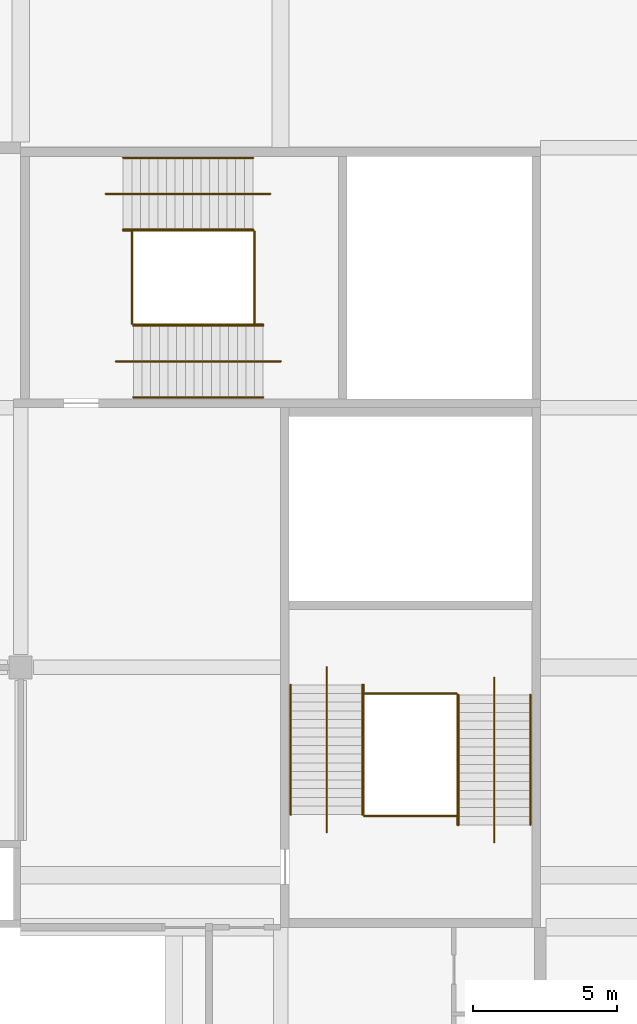
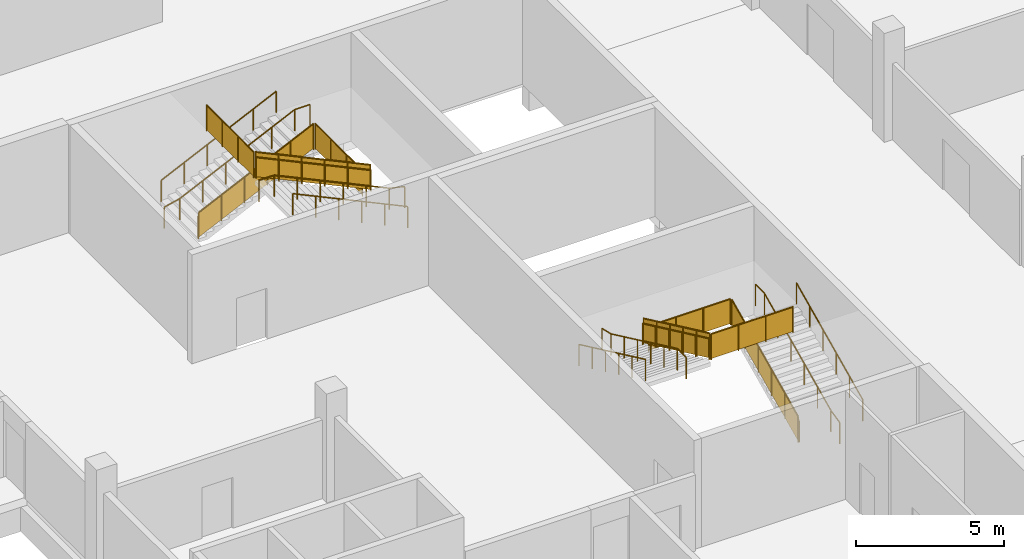
# One storey, part 155 of 168: 20 railings.
"""IFC4 building model written with IfcOpenShell, lengths in metres."""

import ifcopenshell
import ifcopenshell.guid

model = None  # the IFC model being written
_history = None  # IfcOwnerHistory: only IFC2X3 demands one
_inside = {}  # id of a spatial element -> (the spatial element, [elements in it])
_under = {}  # id of a project, library or spatial element -> (it, [spatial elements below it])
_declared = {}  # id of a project -> (the project, [libraries it declares])
_typed = {}  # id of a type object -> (the type object, [elements of that type])
_made_of = {}  # id of a material, layer set ... -> (it, [elements and type objects made of it])


def new_model(schema):
    """Start an empty IFC model of exactly this schema.

    Asked for "IFC4X3", IfcOpenShell would pick the latest addendum, in which some entities
    have other attributes; the version numbers below select the first issue.
    IFC2X3 requires an IfcOwnerHistory on every rooted entity: one is made here for all.
    """
    global model, _history
    if schema == "IFC4X3":
        model = ifcopenshell.file(schema_version=(4, 3, 0, 0))
    else:
        model = ifcopenshell.file(schema=schema)
    _inside.clear()
    _under.clear()
    _declared.clear()
    _typed.clear()
    _made_of.clear()
    _history = None
    if model.schema == "IFC2X3":
        org = make("IfcOrganization", Name="unknown")
        user = make(
            "IfcPersonAndOrganization",
            ThePerson=make("IfcPerson", FamilyName="unknown"),
            TheOrganization=org,
        )
        app = make(
            "IfcApplication",
            ApplicationDeveloper=org,
            Version="unknown",
            ApplicationFullName="unknown",
            ApplicationIdentifier="unknown",
        )
        _history = make(
            "IfcOwnerHistory",
            OwningUser=user,
            OwningApplication=app,
            ChangeAction="ADDED",
            CreationDate=0,
        )
    return model


def make(cls, **values):
    """One entity of the class cls with the attributes given. An attribute that is None is left unset."""
    return model.create_entity(
        cls, **{name: value for name, value in values.items() if value is not None}
    )


def rooted(cls, **values):
    """An entity with a GlobalId (a new one), such as an element, a storey or a relation."""
    return make(cls, GlobalId=ifcopenshell.guid.new(), OwnerHistory=_history, **values)


def si_unit(unit_type, name, prefix=None):
    """IfcSIUnit, for example si_unit("LENGTHUNIT", "METRE", prefix="MILLI")."""
    return make("IfcSIUnit", UnitType=unit_type, Prefix=prefix, Name=name)


def assignment(units):
    """IfcUnitAssignment: the units of a project."""
    return None if units is None else make("IfcUnitAssignment", Units=units)


def point(xyz):
    """IfcCartesianPoint."""
    return None if xyz is None else make("IfcCartesianPoint", Coordinates=xyz)


def direction(xyz):
    """IfcDirection."""
    return None if xyz is None else make("IfcDirection", DirectionRatios=xyz)


def frame(location, z_axis=None, x_axis=None):
    """IfcAxis2Placement3D, a coordinate frame: its origin and axes. An axis left out is left unset."""
    return make(
        "IfcAxis2Placement3D",
        Location=point(location),
        Axis=direction(z_axis),
        RefDirection=direction(x_axis),
    )


def frame_2d(location, x_axis=None):
    """IfcAxis2Placement2D, a coordinate frame in the plane: its origin and x axis."""
    return make(
        "IfcAxis2Placement2D", Location=point(location), RefDirection=direction(x_axis)
    )


def origin():
    """The frame at (0, 0, 0) with its axes left unset."""
    return frame((0.0, 0.0, 0.0))


def origin_2d():
    """The frame at (0, 0) in the plane with its x axis left unset."""
    return frame_2d((0.0, 0.0))


def place(relative_to, where):
    """IfcLocalPlacement: puts the frame where relative to a parent placement (None: the world)."""
    return make(
        "IfcLocalPlacement", PlacementRelTo=relative_to, RelativePlacement=where
    )


def context(
    kind, dimensions, precision=None, world=None, true_north=None, identifier=None
):
    """IfcGeometricRepresentationContext, for example the 3D "Model" context."""
    return make(
        "IfcGeometricRepresentationContext",
        ContextIdentifier=identifier,
        ContextType=kind,
        CoordinateSpaceDimension=dimensions,
        Precision=precision,
        WorldCoordinateSystem=world,
        TrueNorth=true_north,
    )


def subcontext(parent, identifier, kind, view, scale=None):
    """IfcGeometricRepresentationSubContext, for example "Body" below "Model"."""
    return make(
        "IfcGeometricRepresentationSubContext",
        ContextIdentifier=identifier,
        ContextType=kind,
        ParentContext=parent,
        TargetScale=scale,
        TargetView=view,
    )


def project(units=None, contexts=None):
    """IfcProject with its units and contexts."""
    return rooted(
        "IfcProject",
        Name="project",
        RepresentationContexts=contexts,
        UnitsInContext=assignment(units),
    )


def spatial(cls, under=None, at=None, **own):
    """A site, building, storey or space (cls), placed at a placement, below another one or the project."""
    s = rooted(cls, ObjectPlacement=at, **own)
    if under is not None:
        _under.setdefault(under.id(), (under, []))[1].append(s)
    return s


def polyline(points):
    """IfcPolyline through the points."""
    return make("IfcPolyline", Points=[point(p) for p in points])


def profile(cls, at=None, kind="AREA", **sizes):
    """A parametric profile (cls). Its sizes go by their IFC names, for example OverallWidth=200.0."""
    return make(cls, ProfileType=kind, Position=at, **sizes)


def circle(**sizes):
    """IfcCircleProfileDef."""
    return profile("IfcCircleProfileDef", **sizes)


def outline(outer, holes=None, kind="AREA"):
    """IfcArbitraryClosedProfileDef: a profile drawn as a closed curve; with holes, ...WithVoids."""
    if holes is None:
        return make("IfcArbitraryClosedProfileDef", ProfileType=kind, OuterCurve=outer)
    return make(
        "IfcArbitraryProfileDefWithVoids",
        ProfileType=kind,
        OuterCurve=outer,
        InnerCurves=holes,
    )


def extrude(swept, where, along, depth):
    """IfcExtrudedAreaSolid: the profile swept, set in the frame where, extruded along a direction by depth."""
    return make(
        "IfcExtrudedAreaSolid",
        SweptArea=swept,
        Position=where,
        ExtrudedDirection=direction(along),
        Depth=depth,
    )


def shape(context_of_items, identifier, shape_type, items):
    """IfcShapeRepresentation: the items that make up one representation, for example the "Body"."""
    return make(
        "IfcShapeRepresentation",
        ContextOfItems=context_of_items,
        RepresentationIdentifier=identifier,
        RepresentationType=shape_type,
        Items=items,
    )


def material(Name=None, Category=None):
    """IfcMaterial."""
    return make("IfcMaterial", Name=Name, Category=Category)


def made_of(thing, what):
    """Note that an element or type object is made of a material, layer set ...; save() writes the relation."""
    if what is not None:
        _made_of.setdefault(what.id(), (what, []))[1].append(thing)
    return thing


def type_object(cls, material=None, **own):
    """A type object (cls), such as IfcWallType, which elements share."""
    return made_of(rooted(cls, **own), material)


def element(
    cls,
    number,
    at=None,
    inside=None,
    cuts=None,
    type_object=None,
    material=None,
    context=None,
    identifier="Body",
    shape_type=None,
    held_by="IfcProductDefinitionShape",
    body=None,
    shapes=None,
    **own,
):
    """One element of the class cls, such as IfcWall. Its Tag is "e" and its number.

    at: its placement. inside: the storey or other place that contains it. cuts: it is an
    opening in that element (IfcRelVoidsElement). A single representation is given by context,
    identifier, shape_type and body (its items); several are given by shapes. held_by: the class
    of the entity that holds the representations. save() writes the other relations.
    """
    e = rooted(cls, Tag="e%d" % number, ObjectPlacement=at, **own)
    if body is not None:
        shapes = [shape(context, identifier, shape_type, body)]
    if shapes is not None:
        e.Representation = make(held_by, Representations=shapes)
    if inside is not None:
        _inside.setdefault(inside.id(), (inside, []))[1].append(e)
    if cuts is not None:
        rooted(
            "IfcRelVoidsElement", RelatingBuildingElement=cuts, RelatedOpeningElement=e
        )
    if type_object is not None:
        _typed.setdefault(type_object.id(), (type_object, []))[1].append(e)
    return made_of(e, material)


def aggregate(whole, parts):
    """IfcRelAggregates: a whole, such as a stair, and the parts it consists of."""
    return rooted("IfcRelAggregates", RelatingObject=whole, RelatedObjects=parts)


def save(model, path):
    """Write the relations noted so far, then the file.

    IfcRelAggregates (storeys below a building ...), IfcRelContainedInSpatialStructure (elements
    in a storey), IfcRelDefinesByType, IfcRelAssociatesMaterial and IfcRelDeclares: one each for
    every whole, place, type object, material and project.
    """
    for whole, parts in _under.values():
        aggregate(whole, parts)
    for where, things in _inside.values():
        rooted(
            "IfcRelContainedInSpatialStructure",
            RelatedElements=things,
            RelatingStructure=where,
        )
    for kind, things in _typed.values():
        rooted("IfcRelDefinesByType", RelatedObjects=things, RelatingType=kind)
    for what, things in _made_of.values():
        rooted("IfcRelAssociatesMaterial", RelatedObjects=things, RelatingMaterial=what)
    for by, libraries in _declared.values():
        rooted("IfcRelDeclares", RelatingContext=by, RelatedDefinitions=libraries)
    model.write(path)


model = new_model("IFC4")

# Units and contexts
model_context = context("Model", 3, precision=1e-05, world=origin(), true_north=direction((0.0, 1.0)))
body_context = subcontext(model_context, "Body", "Model", "MODEL_VIEW")
ifc_project = project(units=[si_unit("LENGTHUNIT", "METRE"), si_unit("AREAUNIT", "SQUARE_METRE"), si_unit("VOLUMEUNIT", "CUBIC_METRE"), si_unit("PLANEANGLEUNIT", "RADIAN"), si_unit("MASSUNIT", "GRAM", prefix="KILO")], contexts=[model_context])

# Site, building, storey
site_placement = place(None, origin())
site = spatial("IfcSite", under=ifc_project, at=site_placement, CompositionType="ELEMENT")
building_placement = place(site_placement, origin())
building = spatial("IfcBuilding", under=site, at=building_placement, Name="Silverbay Arena", CompositionType="ELEMENT")
storey_placement = place(building_placement, frame((0.0, 0.0, 7.0)))
storey = spatial("IfcBuildingStorey", under=building, at=storey_placement, Name="L01", CompositionType="ELEMENT", Elevation=7.0)

# Railings
ifc_material_1 = material(Name="Stainless steel", Category="steel")
railing_type_1 = type_object("IfcRailingType", Name="Stair guard 1100", PredefinedType="GUARDRAIL", material=ifc_material_1)
railing_1_placement = place(storey_placement, frame((174.546630859375, 123.125, 0.140625)))
element("IfcRailing", 1, at=railing_1_placement, inside=storey, type_object=railing_type_1, Name="Stair ST-NE1 L01 to L02 flight 1 guard left", PredefinedType="GUARDRAIL", context=body_context, shape_type="SweptSolid", body=[
    extrude(circle(Radius=0.02392578125, at=origin_2d()), frame((0.0, 0.0, 1.076171875), z_axis=(0.905458935959, 0.0, 0.424433876231), x_axis=(0.0, 1.0, 0.0)), (0.0, 0.0, 1.0), 4.969970703125),
    extrude(outline(polyline([(-0.008056640625, 0.046142578125), (0.907958984375, 0.4755859375), (0.907958984375, 1.478515625), (-0.008056640625, 1.04931640625), (-0.008056640625, 0.046142578125)])), frame((0.0, 0.0029296875, 0.0), z_axis=(0.0, -1.0, 0.0), x_axis=(1.0, 0.0, 0.0)), (0.0, 0.0, 1.0), 0.006103515625),
    extrude(outline(polyline([(-0.008056640625, 0.468017578125), (0.907958984375, 0.8974609375), (0.907958984375, 1.900390625), (-0.008056640625, 1.47119140625), (-0.008056640625, 0.468017578125)])), frame((0.89990234375, 0.0029296875, 0.0), z_axis=(0.0, -1.0, 0.0), x_axis=(1.0, 0.0, 0.0)), (0.0, 0.0, 1.0), 0.006103515625),
    extrude(outline(polyline([(-0.008056640625, 0.889892578125), (0.907958984375, 1.3193359375), (0.907958984375, 2.322265625), (-0.008056640625, 1.89306640625), (-0.008056640625, 0.889892578125)])), frame((1.800048828125, 0.0029296875, 0.0), z_axis=(0.0, -1.0, 0.0), x_axis=(1.0, 0.0, 0.0)), (0.0, 0.0, 1.0), 0.006103515625),
    extrude(outline(polyline([(-0.008056640625, 1.311767578125), (0.907958984375, 1.7412109375), (0.907958984375, 2.744140625), (-0.008056640625, 2.31494140625), (-0.008056640625, 1.311767578125)])), frame((2.699951171875, 0.0029296875, 0.0), z_axis=(0.0, -1.0, 0.0), x_axis=(1.0, 0.0, 0.0)), (0.0, 0.0, 1.0), 0.006103515625),
    extrude(outline(polyline([(-0.008056640625, 1.733642578125), (0.907958984375, 2.1630859375), (0.907958984375, 3.166015625), (-0.008056640625, 2.73681640625), (-0.008056640625, 1.733642578125)])), frame((3.60009765625, 0.0029296875, 0.0), z_axis=(0.0, -1.0, 0.0), x_axis=(1.0, 0.0, 0.0)), (0.0, 0.0, 1.0), 0.006103515625),
    extrude(circle(Radius=0.02099609375, at=origin_2d()), origin(), (0.0, 0.0, 1.0), 1.052001953125),
    extrude(circle(Radius=0.02099609375, at=origin_2d()), frame((0.89990234375, 0.0, 0.421875)), (0.0, 0.0, 1.0), 1.052001953125),
    extrude(circle(Radius=0.02099609375, at=origin_2d()), frame((1.800048828125, 0.0, 0.84375)), (0.0, 0.0, 1.0), 1.052001953125),
    extrude(circle(Radius=0.02099609375, at=origin_2d()), frame((2.699951171875, 0.0, 1.265625)), (0.0, 0.0, 1.0), 1.052001953125),
    extrude(circle(Radius=0.02099609375, at=origin_2d()), frame((3.60009765625, 0.0, 1.6875)), (0.0, 0.0, 1.0), 1.052001953125),
    extrude(circle(Radius=0.02099609375, at=origin_2d()), frame((4.5, 0.0, 2.109375)), (0.0, 0.0, 1.0), 1.052001953125),
])
railing_2_placement = place(storey_placement, frame((179.39990234375, 119.875, 2.390625)))
element("IfcRailing", 2, at=railing_2_placement, inside=storey, type_object=railing_type_1, Name="Stair ST-NE1 L01 to L02 flight 2 guard right", PredefinedType="GUARDRAIL", context=body_context, shape_type="SweptSolid", body=[
    extrude(circle(Radius=0.02392578125, at=origin_2d()), frame((0.0, 0.0, 1.076171875), z_axis=(-0.905458935959, 0.0, 0.424433876231), x_axis=(0.0, -1.0, 0.0)), (0.0, 0.0, 1.0), 4.969970703125),
    extrude(outline(polyline([(-0.008056640625, 0.046142578125), (0.907958984375, 0.4755859375), (0.907958984375, 1.478515625), (-0.008056640625, 1.04931640625), (-0.008056640625, 0.046142578125)])), frame((0.0, -0.0029296875, 0.0), z_axis=(0.0, 1.0, 0.0), x_axis=(-1.0, 0.0, 0.0)), (0.0, 0.0, 1.0), 0.006103515625),
    extrude(outline(polyline([(-0.008056640625, 0.468017578125), (0.907958984375, 0.8974609375), (0.907958984375, 1.900390625), (-0.008056640625, 1.47119140625), (-0.008056640625, 0.468017578125)])), frame((-0.89990234375, -0.0029296875, 0.0), z_axis=(0.0, 1.0, 0.0), x_axis=(-1.0, 0.0, 0.0)), (0.0, 0.0, 1.0), 0.006103515625),
    extrude(outline(polyline([(-0.008056640625, 0.889892578125), (0.907958984375, 1.3193359375), (0.907958984375, 2.322265625), (-0.008056640625, 1.89306640625), (-0.008056640625, 0.889892578125)])), frame((-1.800048828125, -0.0029296875, 0.0), z_axis=(0.0, 1.0, 0.0), x_axis=(-1.0, 0.0, 0.0)), (0.0, 0.0, 1.0), 0.006103515625),
    extrude(outline(polyline([(-0.008056640625, 1.311767578125), (0.907958984375, 1.7412109375), (0.907958984375, 2.744140625), (-0.008056640625, 2.31494140625), (-0.008056640625, 1.311767578125)])), frame((-2.699951171875, -0.0029296875, 0.0), z_axis=(0.0, 1.0, 0.0), x_axis=(-1.0, 0.0, 0.0)), (0.0, 0.0, 1.0), 0.006103515625),
    extrude(outline(polyline([(-0.008056640625, 1.733642578125), (0.907958984375, 2.1630859375), (0.907958984375, 3.166015625), (-0.008056640625, 2.73681640625), (-0.008056640625, 1.733642578125)])), frame((-3.60009765625, -0.0029296875, 0.0), z_axis=(0.0, 1.0, 0.0), x_axis=(-1.0, 0.0, 0.0)), (0.0, 0.0, 1.0), 0.006103515625),
    extrude(circle(Radius=0.02099609375, at=origin_2d()), origin(), (0.0, 0.0, 1.0), 1.052001953125),
    extrude(circle(Radius=0.02099609375, at=origin_2d()), frame((-0.89990234375, 0.0, 0.421875)), (0.0, 0.0, 1.0), 1.052001953125),
    extrude(circle(Radius=0.02099609375, at=origin_2d()), frame((-1.800048828125, 0.0, 0.84375)), (0.0, 0.0, 1.0), 1.052001953125),
    extrude(circle(Radius=0.02099609375, at=origin_2d()), frame((-2.699951171875, 0.0, 1.265625)), (0.0, 0.0, 1.0), 1.052001953125),
    extrude(circle(Radius=0.02099609375, at=origin_2d()), frame((-3.60009765625, 0.0, 1.6875)), (0.0, 0.0, 1.0), 1.052001953125),
    extrude(circle(Radius=0.02099609375, at=origin_2d()), frame((-4.5, 0.0, 2.109375)), (0.0, 0.0, 1.0), 1.052001953125),
])
for number, where, name in (
    (3, (179.0966796875, 119.89990234375, 2.25), "Stair ST-NE1 L01 to L02 landing 1 guard"),
    (4, (174.85009765625, 119.89990234375, 4.5), "Stair ST-NE1 L01 to L02 landing 2 guard"),
):
    element("IfcRailing", number, at=place(storey_placement, frame(where)), inside=storey, type_object=railing_type_1, Name=name, PredefinedType="GUARDRAIL", context=body_context, shape_type="SweptSolid", body=[
        extrude(circle(Radius=0.02392578125, at=origin_2d()), frame((0.0, 0.0, 1.076171875), z_axis=(0.0, 1.0, 0.0), x_axis=(-1.0, 0.0, 0.0)), (0.0, 0.0, 1.0), 3.2001953125),
        extrude(outline(polyline([(-0.008056640625, 0.050048828125), (1.07470703125, 0.050048828125), (1.07470703125, 1.052978515625), (-0.008056640625, 1.052978515625), (-0.008056640625, 0.050048828125)])), frame((-0.0029296875, 0.0, 0.0), z_axis=(1.0, 0.0, 0.0), x_axis=(0.0, 1.0, 0.0)), (0.0, 0.0, 1.0), 0.006103515625),
        extrude(outline(polyline([(-0.008056640625, 0.050048828125), (1.07470703125, 0.050048828125), (1.07470703125, 1.052978515625), (-0.008056640625, 1.052978515625), (-0.008056640625, 0.050048828125)])), frame((-0.0029296875, 1.066650390625, 0.0), z_axis=(1.0, 0.0, 0.0), x_axis=(0.0, 1.0, 0.0)), (0.0, 0.0, 1.0), 0.006103515625),
        extrude(outline(polyline([(-0.008056640625, 0.050048828125), (1.07470703125, 0.050048828125), (1.07470703125, 1.052978515625), (-0.008056640625, 1.052978515625), (-0.008056640625, 0.050048828125)])), frame((-0.0029296875, 2.133544921875, 0.0), z_axis=(1.0, 0.0, 0.0), x_axis=(0.0, 1.0, 0.0)), (0.0, 0.0, 1.0), 0.006103515625),
        extrude(circle(Radius=0.02099609375, at=origin_2d()), origin(), (0.0, 0.0, 1.0), 1.052001953125),
        extrude(circle(Radius=0.02099609375, at=origin_2d()), frame((0.0, 1.066650390625, 0.0)), (0.0, 0.0, 1.0), 1.052001953125),
        extrude(circle(Radius=0.02099609375, at=origin_2d()), frame((0.0, 2.133544921875, 0.0)), (0.0, 0.0, 1.0), 1.052001953125),
        extrude(circle(Radius=0.02099609375, at=origin_2d()), frame((0.0, 3.2001953125, 0.0)), (0.0, 0.0, 1.0), 1.052001953125),
    ])
railing_3_placement = place(storey_placement, frame((186.125, 102.546630859375, 0.140625)))
element("IfcRailing", 5, at=railing_3_placement, inside=storey, type_object=railing_type_1, Name="Stair ST-NE2 L01 to L02 flight 1 guard left", PredefinedType="GUARDRAIL", context=body_context, shape_type="SweptSolid", body=[
    extrude(circle(Radius=0.02392578125, at=origin_2d()), frame((0.0, 0.0, 1.076171875), z_axis=(0.0, 0.905458935959, 0.424433876231), x_axis=(-1.0, 0.0, 0.0)), (0.0, 0.0, 1.0), 4.969970703125),
    extrude(outline(polyline([(-0.008056640625, 0.046142578125), (0.907958984375, 0.4755859375), (0.907958984375, 1.478515625), (-0.008056640625, 1.04931640625), (-0.008056640625, 0.046142578125)])), frame((-0.0029296875, 0.0, 0.0), z_axis=(1.0, 0.0, 0.0), x_axis=(0.0, 1.0, 0.0)), (0.0, 0.0, 1.0), 0.006103515625),
    extrude(outline(polyline([(-0.008056640625, 0.468017578125), (0.907958984375, 0.8974609375), (0.907958984375, 1.900390625), (-0.008056640625, 1.47119140625), (-0.008056640625, 0.468017578125)])), frame((-0.0029296875, 0.89990234375, 0.0), z_axis=(1.0, 0.0, 0.0), x_axis=(0.0, 1.0, 0.0)), (0.0, 0.0, 1.0), 0.006103515625),
    extrude(outline(polyline([(-0.008056640625, 0.889892578125), (0.907958984375, 1.3193359375), (0.907958984375, 2.322265625), (-0.008056640625, 1.89306640625), (-0.008056640625, 0.889892578125)])), frame((-0.0029296875, 1.800048828125, 0.0), z_axis=(1.0, 0.0, 0.0), x_axis=(0.0, 1.0, 0.0)), (0.0, 0.0, 1.0), 0.006103515625),
    extrude(outline(polyline([(-0.008056640625, 1.311767578125), (0.907958984375, 1.7412109375), (0.907958984375, 2.744140625), (-0.008056640625, 2.31494140625), (-0.008056640625, 1.311767578125)])), frame((-0.0029296875, 2.699951171875, 0.0), z_axis=(1.0, 0.0, 0.0), x_axis=(0.0, 1.0, 0.0)), (0.0, 0.0, 1.0), 0.006103515625),
    extrude(outline(polyline([(-0.008056640625, 1.733642578125), (0.907958984375, 2.1630859375), (0.907958984375, 3.166015625), (-0.008056640625, 2.73681640625), (-0.008056640625, 1.733642578125)])), frame((-0.0029296875, 3.60009765625, 0.0), z_axis=(1.0, 0.0, 0.0), x_axis=(0.0, 1.0, 0.0)), (0.0, 0.0, 1.0), 0.006103515625),
    extrude(circle(Radius=0.02099609375, at=origin_2d()), origin(), (0.0, 0.0, 1.0), 1.052001953125),
    extrude(circle(Radius=0.02099609375, at=origin_2d()), frame((0.0, 0.89990234375, 0.421875)), (0.0, 0.0, 1.0), 1.052001953125),
    extrude(circle(Radius=0.02099609375, at=origin_2d()), frame((0.0, 1.800048828125, 0.84375)), (0.0, 0.0, 1.0), 1.052001953125),
    extrude(circle(Radius=0.02099609375, at=origin_2d()), frame((0.0, 2.699951171875, 1.265625)), (0.0, 0.0, 1.0), 1.052001953125),
    extrude(circle(Radius=0.02099609375, at=origin_2d()), frame((0.0, 3.60009765625, 1.6875)), (0.0, 0.0, 1.0), 1.052001953125),
    extrude(circle(Radius=0.02099609375, at=origin_2d()), frame((0.0, 4.5, 2.109375)), (0.0, 0.0, 1.0), 1.052001953125),
])
railing_4_placement = place(storey_placement, frame((182.875, 107.39990234375, 2.390625)))
element("IfcRailing", 6, at=railing_4_placement, inside=storey, type_object=railing_type_1, Name="Stair ST-NE2 L01 to L02 flight 2 guard right", PredefinedType="GUARDRAIL", context=body_context, shape_type="SweptSolid", body=[
    extrude(circle(Radius=0.02392578125, at=origin_2d()), frame((0.0, 0.0, 1.076171875), z_axis=(0.0, -0.905458935959, 0.424433876231), x_axis=(1.0, 0.0, 0.0)), (0.0, 0.0, 1.0), 4.969970703125),
    extrude(outline(polyline([(-0.008056640625, 0.046142578125), (0.907958984375, 0.4755859375), (0.907958984375, 1.478515625), (-0.008056640625, 1.04931640625), (-0.008056640625, 0.046142578125)])), frame((0.0029296875, 0.0, 0.0), z_axis=(-1.0, 0.0, 0.0), x_axis=(0.0, -1.0, 0.0)), (0.0, 0.0, 1.0), 0.006103515625),
    extrude(outline(polyline([(-0.008056640625, 0.468017578125), (0.907958984375, 0.8974609375), (0.907958984375, 1.900390625), (-0.008056640625, 1.47119140625), (-0.008056640625, 0.468017578125)])), frame((0.0029296875, -0.89990234375, 0.0), z_axis=(-1.0, 0.0, 0.0), x_axis=(0.0, -1.0, 0.0)), (0.0, 0.0, 1.0), 0.006103515625),
    extrude(outline(polyline([(-0.008056640625, 0.889892578125), (0.907958984375, 1.3193359375), (0.907958984375, 2.322265625), (-0.008056640625, 1.89306640625), (-0.008056640625, 0.889892578125)])), frame((0.0029296875, -1.800048828125, 0.0), z_axis=(-1.0, 0.0, 0.0), x_axis=(0.0, -1.0, 0.0)), (0.0, 0.0, 1.0), 0.006103515625),
    extrude(outline(polyline([(-0.008056640625, 1.311767578125), (0.907958984375, 1.7412109375), (0.907958984375, 2.744140625), (-0.008056640625, 2.31494140625), (-0.008056640625, 1.311767578125)])), frame((0.0029296875, -2.699951171875, 0.0), z_axis=(-1.0, 0.0, 0.0), x_axis=(0.0, -1.0, 0.0)), (0.0, 0.0, 1.0), 0.006103515625),
    extrude(outline(polyline([(-0.008056640625, 1.733642578125), (0.907958984375, 2.1630859375), (0.907958984375, 3.166015625), (-0.008056640625, 2.73681640625), (-0.008056640625, 1.733642578125)])), frame((0.0029296875, -3.60009765625, 0.0), z_axis=(-1.0, 0.0, 0.0), x_axis=(0.0, -1.0, 0.0)), (0.0, 0.0, 1.0), 0.006103515625),
    extrude(circle(Radius=0.02099609375, at=origin_2d()), origin(), (0.0, 0.0, 1.0), 1.052001953125),
    extrude(circle(Radius=0.02099609375, at=origin_2d()), frame((0.0, -0.89990234375, 0.421875)), (0.0, 0.0, 1.0), 1.052001953125),
    extrude(circle(Radius=0.02099609375, at=origin_2d()), frame((0.0, -1.800048828125, 0.84375)), (0.0, 0.0, 1.0), 1.052001953125),
    extrude(circle(Radius=0.02099609375, at=origin_2d()), frame((0.0, -2.699951171875, 1.265625)), (0.0, 0.0, 1.0), 1.052001953125),
    extrude(circle(Radius=0.02099609375, at=origin_2d()), frame((0.0, -3.60009765625, 1.6875)), (0.0, 0.0, 1.0), 1.052001953125),
    extrude(circle(Radius=0.02099609375, at=origin_2d()), frame((0.0, -4.5, 2.109375)), (0.0, 0.0, 1.0), 1.052001953125),
])
for number, where, name in (
    (7, (182.89990234375, 107.0966796875, 2.25), "Stair ST-NE2 L01 to L02 landing 1 guard"),
    (8, (182.89990234375, 102.85009765625, 4.5), "Stair ST-NE2 L01 to L02 landing 2 guard"),
):
    element("IfcRailing", number, at=place(storey_placement, frame(where)), inside=storey, type_object=railing_type_1, Name=name, PredefinedType="GUARDRAIL", context=body_context, shape_type="SweptSolid", body=[
        extrude(circle(Radius=0.02392578125, at=origin_2d()), frame((0.0, 0.0, 1.076171875), z_axis=(1.0, 0.0, 0.0), x_axis=(0.0, 1.0, 0.0)), (0.0, 0.0, 1.0), 3.2001953125),
        extrude(outline(polyline([(-0.008056640625, 0.050048828125), (1.07470703125, 0.050048828125), (1.07470703125, 1.052978515625), (-0.008056640625, 1.052978515625), (-0.008056640625, 0.050048828125)])), frame((0.0, 0.0029296875, 0.0), z_axis=(0.0, -1.0, 0.0), x_axis=(1.0, 0.0, 0.0)), (0.0, 0.0, 1.0), 0.006103515625),
        extrude(outline(polyline([(-0.008056640625, 0.050048828125), (1.07470703125, 0.050048828125), (1.07470703125, 1.052978515625), (-0.008056640625, 1.052978515625), (-0.008056640625, 0.050048828125)])), frame((1.066650390625, 0.0029296875, 0.0), z_axis=(0.0, -1.0, 0.0), x_axis=(1.0, 0.0, 0.0)), (0.0, 0.0, 1.0), 0.006103515625),
        extrude(outline(polyline([(-0.008056640625, 0.050048828125), (1.07470703125, 0.050048828125), (1.07470703125, 1.052978515625), (-0.008056640625, 1.052978515625), (-0.008056640625, 0.050048828125)])), frame((2.133544921875, 0.0029296875, 0.0), z_axis=(0.0, -1.0, 0.0), x_axis=(1.0, 0.0, 0.0)), (0.0, 0.0, 1.0), 0.006103515625),
        extrude(circle(Radius=0.02099609375, at=origin_2d()), origin(), (0.0, 0.0, 1.0), 1.052001953125),
        extrude(circle(Radius=0.02099609375, at=origin_2d()), frame((1.066650390625, 0.0, 0.0)), (0.0, 0.0, 1.0), 1.052001953125),
        extrude(circle(Radius=0.02099609375, at=origin_2d()), frame((2.133544921875, 0.0, 0.0)), (0.0, 0.0, 1.0), 1.052001953125),
        extrude(circle(Radius=0.02099609375, at=origin_2d()), frame((3.2001953125, 0.0, 0.0)), (0.0, 0.0, 1.0), 1.052001953125),
    ])
ifc_material_2 = material(Name="Stainless steel", Category="steel")
railing_type_2 = type_object("IfcRailingType", Name="Stair handrail 900", PredefinedType="HANDRAIL", material=ifc_material_2)
for number, where, name in (
    (9, (174.546630859375, 123.1640625, 0.140625), "Stair ST-NE1 L01 to L02 flight 1 handrail left"),
    (10, (174.546630859375, 125.64990234375, 0.140625), "Stair ST-NE1 L01 to L02 flight 1 handrail right"),
):
    element("IfcRailing", number, at=place(storey_placement, frame(where)), inside=storey, type_object=railing_type_2, Name=name, PredefinedType="HANDRAIL", context=body_context, shape_type="SweptSolid", body=[
        extrude(circle(Radius=0.02392578125, at=origin_2d()), frame((0.0, 0.0, 0.8759765625), z_axis=(0.905458935959, 0.0, 0.424433876231), x_axis=(0.0, 1.0, 0.0)), (0.0, 0.0, 1.0), 4.969970703125),
        extrude(circle(Radius=0.02099609375, at=origin_2d()), origin(), (0.0, 0.0, 1.0), 0.851806640625),
        extrude(circle(Radius=0.02099609375, at=origin_2d()), frame((0.89990234375, 0.0, 0.421875)), (0.0, 0.0, 1.0), 0.851806640625),
        extrude(circle(Radius=0.02099609375, at=origin_2d()), frame((1.800048828125, 0.0, 0.84375)), (0.0, 0.0, 1.0), 0.851806640625),
        extrude(circle(Radius=0.02099609375, at=origin_2d()), frame((2.699951171875, 0.0, 1.265625)), (0.0, 0.0, 1.0), 0.851806640625),
        extrude(circle(Radius=0.02099609375, at=origin_2d()), frame((3.60009765625, 0.0, 1.6875)), (0.0, 0.0, 1.0), 0.851806640625),
        extrude(circle(Radius=0.02099609375, at=origin_2d()), frame((4.5, 0.0, 2.109375)), (0.0, 0.0, 1.0), 0.851806640625),
    ])
railing_5_placement = place(storey_placement, frame((173.946533203125, 124.39990234375, 0.0)))
element("IfcRailing", 11, at=railing_5_placement, inside=storey, type_object=railing_type_2, Name="Stair ST-NE1 L01 to L02 flight 1 central handrail", PredefinedType="HANDRAIL", context=body_context, shape_type="SweptSolid", body=[
    extrude(circle(Radius=0.02392578125, at=origin_2d()), frame((0.0, 0.0, 0.8759765625), z_axis=(0.973624560196, 0.0, 0.228156121511), x_axis=(0.0, 1.0, 0.0)), (0.0, 0.0, 1.0), 0.616455078125),
    extrude(circle(Radius=0.02392578125, at=origin_2d()), frame((0.60009765625, 0.0, 1.0166015625), z_axis=(0.905458935959, 0.0, 0.424433876231), x_axis=(0.0, 1.0, 0.0)), (0.0, 0.0, 1.0), 4.969970703125),
    extrude(circle(Radius=0.02392578125, at=origin_2d()), frame((5.10009765625, 0.0, 3.1259765625), z_axis=(1.0, 0.0, 0.0), x_axis=(0.0, 1.0, 0.0)), (0.0, 0.0, 1.0), 0.599853515625),
    extrude(circle(Radius=0.02099609375, at=origin_2d()), origin(), (0.0, 0.0, 1.0), 0.851806640625),
    extrude(circle(Radius=0.02099609375, at=origin_2d()), frame((0.60009765625, 0.0, 0.140625)), (0.0, 0.0, 1.0), 0.851806640625),
    extrude(circle(Radius=0.02099609375, at=origin_2d()), frame((1.5, 0.0, 0.5625)), (0.0, 0.0, 1.0), 0.851806640625),
    extrude(circle(Radius=0.02099609375, at=origin_2d()), frame((2.400146484375, 0.0, 0.984375)), (0.0, 0.0, 1.0), 0.851806640625),
    extrude(circle(Radius=0.02099609375, at=origin_2d()), frame((3.300048828125, 0.0, 1.40625)), (0.0, 0.0, 1.0), 0.851806640625),
    extrude(circle(Radius=0.02099609375, at=origin_2d()), frame((4.2001953125, 0.0, 1.828125)), (0.0, 0.0, 1.0), 0.851806640625),
    extrude(circle(Radius=0.02099609375, at=origin_2d()), frame((5.10009765625, 0.0, 2.25)), (0.0, 0.0, 1.0), 0.851806640625),
    extrude(circle(Radius=0.02099609375, at=origin_2d()), frame((5.699951171875, 0.0, 2.25)), (0.0, 0.0, 1.0), 0.851806640625),
])
for number, where, name in (
    (12, (179.39990234375, 117.35009765625, 2.390625), "Stair ST-NE1 L01 to L02 flight 2 handrail left"),
    (13, (179.39990234375, 119.8359375, 2.390625), "Stair ST-NE1 L01 to L02 flight 2 handrail right"),
):
    element("IfcRailing", number, at=place(storey_placement, frame(where)), inside=storey, type_object=railing_type_2, Name=name, PredefinedType="HANDRAIL", context=body_context, shape_type="SweptSolid", body=[
        extrude(circle(Radius=0.02392578125, at=origin_2d()), frame((0.0, 0.0, 0.8759765625), z_axis=(-0.905458935959, 0.0, 0.424433876231), x_axis=(0.0, -1.0, 0.0)), (0.0, 0.0, 1.0), 4.969970703125),
        extrude(circle(Radius=0.02099609375, at=origin_2d()), origin(), (0.0, 0.0, 1.0), 0.851806640625),
        extrude(circle(Radius=0.02099609375, at=origin_2d()), frame((-0.89990234375, 0.0, 0.421875)), (0.0, 0.0, 1.0), 0.851806640625),
        extrude(circle(Radius=0.02099609375, at=origin_2d()), frame((-1.800048828125, 0.0, 0.84375)), (0.0, 0.0, 1.0), 0.851806640625),
        extrude(circle(Radius=0.02099609375, at=origin_2d()), frame((-2.699951171875, 0.0, 1.265625)), (0.0, 0.0, 1.0), 0.851806640625),
        extrude(circle(Radius=0.02099609375, at=origin_2d()), frame((-3.60009765625, 0.0, 1.6875)), (0.0, 0.0, 1.0), 0.851806640625),
        extrude(circle(Radius=0.02099609375, at=origin_2d()), frame((-4.5, 0.0, 2.109375)), (0.0, 0.0, 1.0), 0.851806640625),
    ])
railing_6_placement = place(storey_placement, frame((180.0, 118.60009765625, 2.25)))
element("IfcRailing", 14, at=railing_6_placement, inside=storey, type_object=railing_type_2, Name="Stair ST-NE1 L01 to L02 flight 2 central handrail", PredefinedType="HANDRAIL", context=body_context, shape_type="SweptSolid", body=[
    extrude(circle(Radius=0.02392578125, at=origin_2d()), frame((0.0, 0.0, 0.8759765625), z_axis=(-0.973624560196, 0.0, 0.228156121511), x_axis=(0.0, -1.0, 0.0)), (0.0, 0.0, 1.0), 0.616455078125),
    extrude(circle(Radius=0.02392578125, at=origin_2d()), frame((-0.60009765625, 0.0, 1.0166015625), z_axis=(-0.905458935959, 0.0, 0.424433876231), x_axis=(0.0, -1.0, 0.0)), (0.0, 0.0, 1.0), 4.969970703125),
    extrude(circle(Radius=0.02392578125, at=origin_2d()), frame((-5.10009765625, 0.0, 3.1259765625), z_axis=(-1.0, 0.0, 0.0), x_axis=(0.0, -1.0, 0.0)), (0.0, 0.0, 1.0), 0.599853515625),
    extrude(circle(Radius=0.02099609375, at=origin_2d()), origin(), (0.0, 0.0, 1.0), 0.851806640625),
    extrude(circle(Radius=0.02099609375, at=origin_2d()), frame((-0.60009765625, 0.0, 0.140625)), (0.0, 0.0, 1.0), 0.851806640625),
    extrude(circle(Radius=0.02099609375, at=origin_2d()), frame((-1.5, 0.0, 0.5625)), (0.0, 0.0, 1.0), 0.851806640625),
    extrude(circle(Radius=0.02099609375, at=origin_2d()), frame((-2.400146484375, 0.0, 0.984375)), (0.0, 0.0, 1.0), 0.851806640625),
    extrude(circle(Radius=0.02099609375, at=origin_2d()), frame((-3.300048828125, 0.0, 1.40625)), (0.0, 0.0, 1.0), 0.851806640625),
    extrude(circle(Radius=0.02099609375, at=origin_2d()), frame((-4.2001953125, 0.0, 1.828125)), (0.0, 0.0, 1.0), 0.851806640625),
    extrude(circle(Radius=0.02099609375, at=origin_2d()), frame((-5.10009765625, 0.0, 2.25)), (0.0, 0.0, 1.0), 0.851806640625),
    extrude(circle(Radius=0.02099609375, at=origin_2d()), frame((-5.699951171875, 0.0, 2.25)), (0.0, 0.0, 1.0), 0.851806640625),
])
for number, where, name in (
    (15, (186.1640625, 102.546630859375, 0.140625), "Stair ST-NE2 L01 to L02 flight 1 handrail left"),
    (16, (188.64990234375, 102.546630859375, 0.140625), "Stair ST-NE2 L01 to L02 flight 1 handrail right"),
):
    element("IfcRailing", number, at=place(storey_placement, frame(where)), inside=storey, type_object=railing_type_2, Name=name, PredefinedType="HANDRAIL", context=body_context, shape_type="SweptSolid", body=[
        extrude(circle(Radius=0.02392578125, at=origin_2d()), frame((0.0, 0.0, 0.8759765625), z_axis=(0.0, 0.905458935959, 0.424433876231), x_axis=(-1.0, 0.0, 0.0)), (0.0, 0.0, 1.0), 4.969970703125),
        extrude(circle(Radius=0.02099609375, at=origin_2d()), origin(), (0.0, 0.0, 1.0), 0.851806640625),
        extrude(circle(Radius=0.02099609375, at=origin_2d()), frame((0.0, 0.89990234375, 0.421875)), (0.0, 0.0, 1.0), 0.851806640625),
        extrude(circle(Radius=0.02099609375, at=origin_2d()), frame((0.0, 1.800048828125, 0.84375)), (0.0, 0.0, 1.0), 0.851806640625),
        extrude(circle(Radius=0.02099609375, at=origin_2d()), frame((0.0, 2.699951171875, 1.265625)), (0.0, 0.0, 1.0), 0.851806640625),
        extrude(circle(Radius=0.02099609375, at=origin_2d()), frame((0.0, 3.60009765625, 1.6875)), (0.0, 0.0, 1.0), 0.851806640625),
        extrude(circle(Radius=0.02099609375, at=origin_2d()), frame((0.0, 4.5, 2.109375)), (0.0, 0.0, 1.0), 0.851806640625),
    ])
railing_7_placement = place(storey_placement, frame((187.39990234375, 101.946533203125, 0.0)))
element("IfcRailing", 17, at=railing_7_placement, inside=storey, type_object=railing_type_2, Name="Stair ST-NE2 L01 to L02 flight 1 central handrail", PredefinedType="HANDRAIL", context=body_context, shape_type="SweptSolid", body=[
    extrude(circle(Radius=0.02392578125, at=origin_2d()), frame((0.0, 0.0, 0.8759765625), z_axis=(0.0, 0.973624560196, 0.228156121511), x_axis=(-1.0, 0.0, 0.0)), (0.0, 0.0, 1.0), 0.616455078125),
    extrude(circle(Radius=0.02392578125, at=origin_2d()), frame((0.0, 0.60009765625, 1.0166015625), z_axis=(0.0, 0.905458935959, 0.424433876231), x_axis=(-1.0, 0.0, 0.0)), (0.0, 0.0, 1.0), 4.969970703125),
    extrude(circle(Radius=0.02392578125, at=origin_2d()), frame((0.0, 5.10009765625, 3.1259765625), z_axis=(0.0, 1.0, 0.0), x_axis=(-1.0, 0.0, 0.0)), (0.0, 0.0, 1.0), 0.599853515625),
    extrude(circle(Radius=0.02099609375, at=origin_2d()), origin(), (0.0, 0.0, 1.0), 0.851806640625),
    extrude(circle(Radius=0.02099609375, at=origin_2d()), frame((0.0, 0.60009765625, 0.140625)), (0.0, 0.0, 1.0), 0.851806640625),
    extrude(circle(Radius=0.02099609375, at=origin_2d()), frame((0.0, 1.5, 0.5625)), (0.0, 0.0, 1.0), 0.851806640625),
    extrude(circle(Radius=0.02099609375, at=origin_2d()), frame((0.0, 2.400146484375, 0.984375)), (0.0, 0.0, 1.0), 0.851806640625),
    extrude(circle(Radius=0.02099609375, at=origin_2d()), frame((0.0, 3.300048828125, 1.40625)), (0.0, 0.0, 1.0), 0.851806640625),
    extrude(circle(Radius=0.02099609375, at=origin_2d()), frame((0.0, 4.2001953125, 1.828125)), (0.0, 0.0, 1.0), 0.851806640625),
    extrude(circle(Radius=0.02099609375, at=origin_2d()), frame((0.0, 5.10009765625, 2.25)), (0.0, 0.0, 1.0), 0.851806640625),
    extrude(circle(Radius=0.02099609375, at=origin_2d()), frame((0.0, 5.699951171875, 2.25)), (0.0, 0.0, 1.0), 0.851806640625),
])
for number, where, name in (
    (18, (180.35009765625, 107.39990234375, 2.390625), "Stair ST-NE2 L01 to L02 flight 2 handrail left"),
    (19, (182.8359375, 107.39990234375, 2.390625), "Stair ST-NE2 L01 to L02 flight 2 handrail right"),
):
    element("IfcRailing", number, at=place(storey_placement, frame(where)), inside=storey, type_object=railing_type_2, Name=name, PredefinedType="HANDRAIL", context=body_context, shape_type="SweptSolid", body=[
        extrude(circle(Radius=0.02392578125, at=origin_2d()), frame((0.0, 0.0, 0.8759765625), z_axis=(0.0, -0.905458935959, 0.424433876231), x_axis=(1.0, 0.0, 0.0)), (0.0, 0.0, 1.0), 4.969970703125),
        extrude(circle(Radius=0.02099609375, at=origin_2d()), origin(), (0.0, 0.0, 1.0), 0.851806640625),
        extrude(circle(Radius=0.02099609375, at=origin_2d()), frame((0.0, -0.89990234375, 0.421875)), (0.0, 0.0, 1.0), 0.851806640625),
        extrude(circle(Radius=0.02099609375, at=origin_2d()), frame((0.0, -1.800048828125, 0.84375)), (0.0, 0.0, 1.0), 0.851806640625),
        extrude(circle(Radius=0.02099609375, at=origin_2d()), frame((0.0, -2.699951171875, 1.265625)), (0.0, 0.0, 1.0), 0.851806640625),
        extrude(circle(Radius=0.02099609375, at=origin_2d()), frame((0.0, -3.60009765625, 1.6875)), (0.0, 0.0, 1.0), 0.851806640625),
        extrude(circle(Radius=0.02099609375, at=origin_2d()), frame((0.0, -4.5, 2.109375)), (0.0, 0.0, 1.0), 0.851806640625),
    ])
railing_8_placement = place(storey_placement, frame((181.60009765625, 108.0, 2.25)))
element("IfcRailing", 20, at=railing_8_placement, inside=storey, type_object=railing_type_2, Name="Stair ST-NE2 L01 to L02 flight 2 central handrail", PredefinedType="HANDRAIL", context=body_context, shape_type="SweptSolid", body=[
    extrude(circle(Radius=0.02392578125, at=origin_2d()), frame((0.0, 0.0, 0.8759765625), z_axis=(0.0, -0.973624560196, 0.228156121511), x_axis=(1.0, 0.0, 0.0)), (0.0, 0.0, 1.0), 0.616455078125),
    extrude(circle(Radius=0.02392578125, at=origin_2d()), frame((0.0, -0.60009765625, 1.0166015625), z_axis=(0.0, -0.905458935959, 0.424433876231), x_axis=(1.0, 0.0, 0.0)), (0.0, 0.0, 1.0), 4.969970703125),
    extrude(circle(Radius=0.02392578125, at=origin_2d()), frame((0.0, -5.10009765625, 3.1259765625), z_axis=(0.0, -1.0, 0.0), x_axis=(1.0, 0.0, 0.0)), (0.0, 0.0, 1.0), 0.599853515625),
    extrude(circle(Radius=0.02099609375, at=origin_2d()), origin(), (0.0, 0.0, 1.0), 0.851806640625),
    extrude(circle(Radius=0.02099609375, at=origin_2d()), frame((0.0, -0.60009765625, 0.140625)), (0.0, 0.0, 1.0), 0.851806640625),
    extrude(circle(Radius=0.02099609375, at=origin_2d()), frame((0.0, -1.5, 0.5625)), (0.0, 0.0, 1.0), 0.851806640625),
    extrude(circle(Radius=0.02099609375, at=origin_2d()), frame((0.0, -2.400146484375, 0.984375)), (0.0, 0.0, 1.0), 0.851806640625),
    extrude(circle(Radius=0.02099609375, at=origin_2d()), frame((0.0, -3.300048828125, 1.40625)), (0.0, 0.0, 1.0), 0.851806640625),
    extrude(circle(Radius=0.02099609375, at=origin_2d()), frame((0.0, -4.2001953125, 1.828125)), (0.0, 0.0, 1.0), 0.851806640625),
    extrude(circle(Radius=0.02099609375, at=origin_2d()), frame((0.0, -5.10009765625, 2.25)), (0.0, 0.0, 1.0), 0.851806640625),
    extrude(circle(Radius=0.02099609375, at=origin_2d()), frame((0.0, -5.699951171875, 2.25)), (0.0, 0.0, 1.0), 0.851806640625),
])

save(model, "model.ifc")
